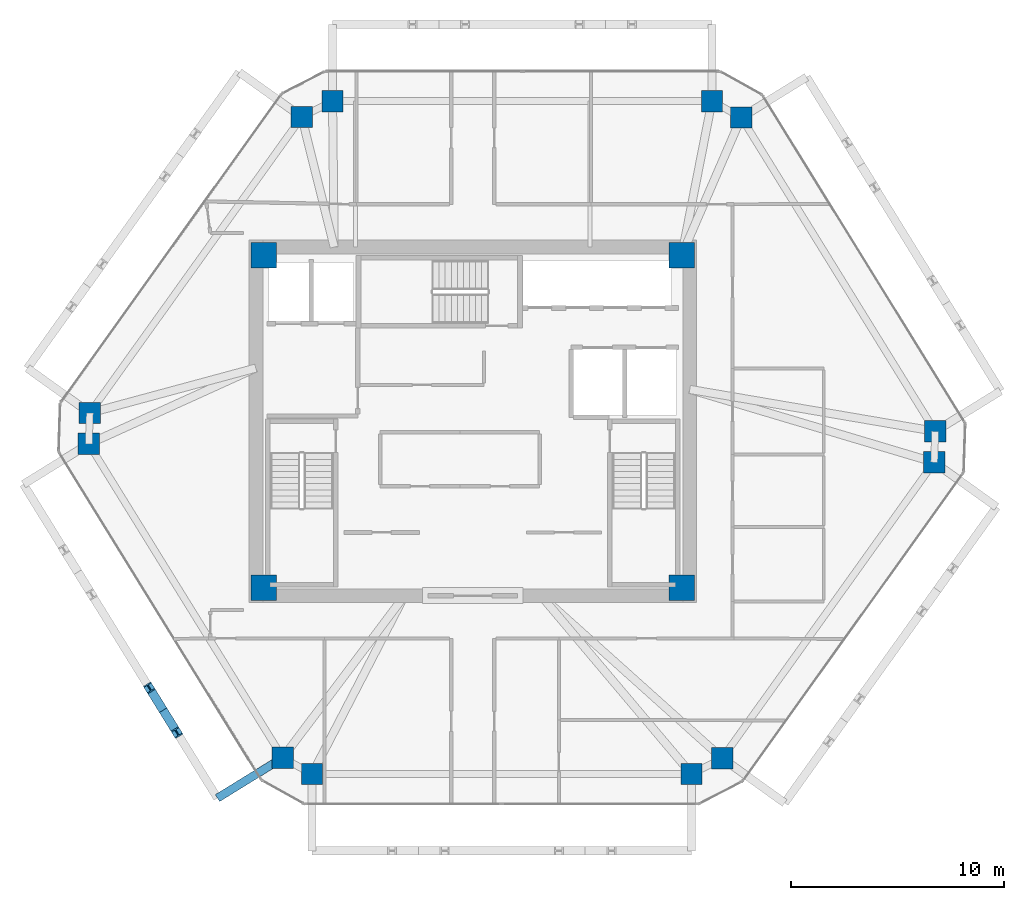
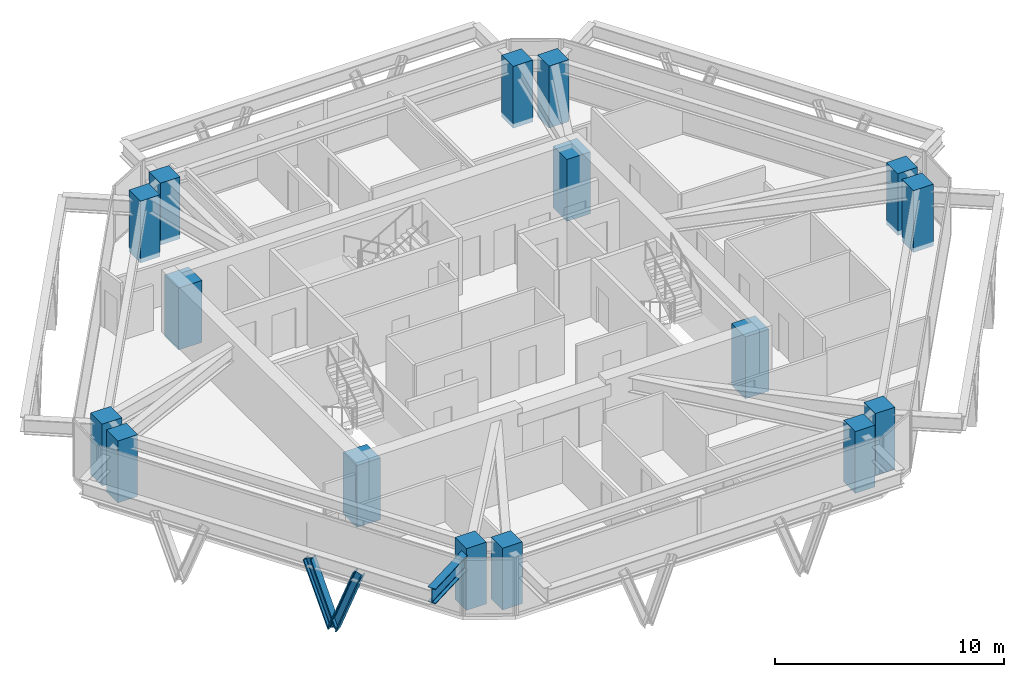
# One storey, part 1 of 11: 16 columns, 2 members, 1 beam.
"""IFC4 building model written with IfcOpenShell, lengths in metres."""

from ifc_helpers import new_model, si_unit, direction, frame, origin, origin_2d, place, context, subcontext, project, spatial, rectangle, i_section, extrude, source, transform, mapped, material, material_profile, profile_set, type_object, type_shapes, element, save


model = new_model("IFC4")

# Units and contexts
model_context = context("Model", 3, precision=1e-05, world=origin(), true_north=direction((0.0, 1.0)))
body_context = subcontext(model_context, "Body", "Model", "MODEL_VIEW")
ifc_project = project(units=[si_unit("LENGTHUNIT", "METRE"), si_unit("AREAUNIT", "SQUARE_METRE"), si_unit("VOLUMEUNIT", "CUBIC_METRE"), si_unit("PLANEANGLEUNIT", "RADIAN"), si_unit("MASSUNIT", "GRAM", prefix="KILO")], contexts=[model_context])

# Site, building, storey
site_placement = place(None, origin())
site = spatial("IfcSite", under=ifc_project, at=site_placement, CompositionType="ELEMENT")
building_placement = place(site_placement, origin())
building = spatial("IfcBuilding", under=site, at=building_placement, Name="Durnholm Broadcast Tower", CompositionType="ELEMENT")
storey_placement = place(building_placement, frame((0.0, 0.0, 183.699951171875)))
storey = spatial("IfcBuildingStorey", under=building, at=storey_placement, Name="L50", CompositionType="ELEMENT", Elevation=183.699951171875)

# Columns
ifc_material_1 = material(Name="Concrete C70/85", Category="concrete")
ifc_material_profile_1 = material_profile(ifc_material_1, rectangle(XDim=1.199951171875, YDim=1.199951171875, at=origin_2d()), Name="RC1200X1200")
ifc_profile_set_1 = profile_set([ifc_material_profile_1], Name="Concrete C70/85")
column_type_1 = type_object("IfcColumnType", Name="COL-CC-1200", PredefinedType="COLUMN", material=ifc_profile_set_1)
shared_shape_1 = source(origin(), body_context, "Body", "SweptSolid", [
    extrude(rectangle(XDim=1.199951171875, YDim=1.199951171875, at=origin_2d()), origin(), (0.0, 0.0, 1.0), 3.300048828125),
])
type_shapes(column_type_1, [shared_shape_1])
for number, where, z_axis, x_axis, name in (
    (1, (-9.800048828125, -7.800048828125, -0.239990234375), (0.0, 0.0, 1.0), (1.0, 0.0, 0.0), "L50 core corner column 1"),
    (2, (9.800048828125, -7.800048828125, -0.239990234375), (0.0, 0.0, 1.0), (1.0, 0.0, 0.0), "L50 core corner column 2"),
    (3, (9.800048828125, 7.800048828125, -0.239990234375), (0.0, 0.0, 1.0), (1.0, 0.0, 0.0), "L50 core corner column 3"),
    (4, (-9.800048828125, 7.800048828125, -0.239990234375), (0.0, 0.0, 1.0), (1.0, 0.0, 0.0), "L50 core corner column 4"),
):
    element("IfcColumn", number, at=place(storey_placement, frame(where, z_axis=z_axis, x_axis=x_axis)), inside=storey, type_object=column_type_1, Name=name, PredefinedType="COLUMN", context=body_context, shape_type="MappedRepresentation", body=[
        mapped(shared_shape_1, transform((0.0, 0.0, 0.0), x_axis=(1.0, 0.0, 0.0), y_axis=(0.0, 1.0, 0.0), z_axis=(0.0, 0.0, 1.0), scale=1.0)),
    ])
ifc_material_profile_2 = material_profile(ifc_material_1, rectangle(XDim=1.0, YDim=1.0, at=origin_2d()), Name="RC1000X1000")
ifc_profile_set_2 = profile_set([ifc_material_profile_2], Name="Concrete C70/85")
column_type_2 = type_object("IfcColumnType", Name="COL-CC-1000", PredefinedType="COLUMN", material=ifc_profile_set_2)
shared_shape_2 = source(origin(), body_context, "Body", "SweptSolid", [
    extrude(rectangle(XDim=1.0, YDim=1.0, at=origin_2d()), origin(), (0.0, 0.0, 1.0), 3.300048828125),
])
type_shapes(column_type_2, [shared_shape_2])
for number, where, z_axis, x_axis, name in (
    (5, (-8.91259765625, -15.7763671875, -0.239990234375), (0.0, 0.0, 1.0), (1.0, 0.0, 0.0), "L50 perimeter hexagonal tube column 01"),
    (6, (-18.009033203125, -1.056640625, -0.239990234375), (0.0, 0.0, 1.0), (1.0, 0.0, 0.0), "L50 perimeter hexagonal tube column 02"),
    (7, (-17.9599609375, 0.3955078125, -0.239990234375), (0.0, 0.0, 1.0), (1.0, 0.0, 0.0), "L50 perimeter hexagonal tube column 03"),
    (8, (-8.021728515625, 14.2763671875, -0.239990234375), (0.0, 0.0, 1.0), (1.0, 0.0, 0.0), "L50 perimeter hexagonal tube column 04"),
    (9, (-6.57861328125, 15.01806640625, -0.239990234375), (0.0, 0.0, 1.0), (1.0, 0.0, 0.0), "L50 perimeter hexagonal tube column 05"),
    (10, (11.217529296875, 15.01806640625, -0.239990234375), (0.0, 0.0, 1.0), (1.0, 0.0, 0.0), "L50 perimeter hexagonal tube column 06"),
    (11, (12.5908203125, 14.252197265625, -0.239990234375), (0.0, 0.0, 1.0), (1.0, 0.0, 0.0), "L50 perimeter hexagonal tube column 07"),
    (12, (21.68701171875, -0.46728515625, -0.239990234375), (0.0, 0.0, 1.0), (1.0, 0.0, 0.0), "L50 perimeter hexagonal tube column 08"),
    (13, (21.637939453125, -1.919677734375, -0.239990234375), (0.0, 0.0, 1.0), (1.0, 0.0, 0.0), "L50 perimeter hexagonal tube column 09"),
    (14, (11.69970703125, -15.80029296875, -0.239990234375), (0.0, 0.0, 1.0), (1.0, 0.0, 0.0), "L50 perimeter hexagonal tube column 10"),
    (15, (10.256591796875, -16.5419921875, -0.239990234375), (0.0, 0.0, 1.0), (1.0, 0.0, 0.0), "L50 perimeter hexagonal tube column 11"),
    (16, (-7.53955078125, -16.5419921875, -0.239990234375), (0.0, 0.0, 1.0), (1.0, 0.0, 0.0), "L50 perimeter hexagonal tube column 12"),
):
    element("IfcColumn", number, at=place(storey_placement, frame(where, z_axis=z_axis, x_axis=x_axis)), inside=storey, type_object=column_type_2, Name=name, PredefinedType="COLUMN", context=body_context, shape_type="MappedRepresentation", body=[
        mapped(shared_shape_2, transform((0.0, 0.0, 0.0), x_axis=(1.0, 0.0, 0.0), y_axis=(0.0, 1.0, 0.0), z_axis=(0.0, 0.0, 1.0), scale=1.0)),
    ])

# Beam
ifc_material_2 = material(Name="Steel ASTM A992 Grade 50", Category="steel")
ifc_material_profile_3 = material_profile(ifc_material_2, i_section(OverallWidth=0.385009765625, OverallDepth=0.802978515625, WebThickness=0.023681640625, FlangeThickness=0.0419921875, FilletRadius=0.032958984375, at=origin_2d()), Name="W30X261")
ifc_profile_set_3 = profile_set([ifc_material_profile_3], Name="Steel ASTM A992 Grade 50")
beam_type = type_object("IfcBeamType", Name="BM-EXO-TIE", PredefinedType="USERDEFINED", material=ifc_profile_set_3)
shared_shape_3 = source(origin(), body_context, "Body", "SweptSolid", [
    extrude(i_section(OverallWidth=0.385009765625, OverallDepth=0.802978515625, WebThickness=0.023681640625, FlangeThickness=0.0419921875, FilletRadius=0.032958984375, at=origin_2d()), origin(), (0.0, 0.0, 1.0), 3.4560546875),
])
type_shapes(beam_type, [shared_shape_3])
beam_placement = place(storey_placement, frame((-9.03515625, -15.85205078125, 2.30859375), z_axis=(-0.850693939061, -0.525661318764, 0.0), x_axis=(0.525661318764, -0.850693939061, 0.0)))
element("IfcBeam", 17, at=beam_placement, inside=storey, type_object=beam_type, Name="L50 exoskeleton stand-off tie bracket F6.2", ObjectType="GIRDER", PredefinedType="USERDEFINED", context=body_context, shape_type="MappedRepresentation", body=[
    mapped(shared_shape_3, transform((0.0, 0.0, 0.0), x_axis=(1.0, 0.0, 0.0), y_axis=(0.0, 1.0, 0.0), z_axis=(0.0, 0.0, 1.0), scale=1.0)),
])

# Members
ifc_material_3 = material(Name="Steel ASTM A913 Grade 65", Category="steel")
ifc_material_profile_4 = material_profile(ifc_material_3, i_section(OverallWidth=0.412109375, OverallDepth=0.434814453125, WebThickness=0.035888671875, FlangeThickness=0.057373046875, FilletRadius=0.030517578125, at=origin_2d()), Name="W14X311")
ifc_profile_set_4 = profile_set([ifc_material_profile_4], Name="Steel ASTM A913 Grade 65")
member_type = type_object("IfcMemberType", Name="STL-DG-W14X311", PredefinedType="BRACE", material=ifc_profile_set_4)
shared_shape_4 = source(origin(), body_context, "Body", "SweptSolid", [
    extrude(i_section(OverallWidth=0.412109375, OverallDepth=0.434814453125, WebThickness=0.035888671875, FlangeThickness=0.057373046875, FilletRadius=0.030517578125, at=origin_2d()), origin(), (0.0, 0.0, 1.0), 3.523193359375),
])
type_shapes(member_type, [shared_shape_4])
for number, where, z_axis, x_axis, name in (
    (18, (-14.522216796875, -13.54736328125, -0.991455078125), (-0.184052089489, 0.297906601172, 0.936683770188), (-0.850732935913, -0.525598203719, 0.0), "L50 stand-off diagrid brace F6.D2.1"),
    (19, (-14.522216796875, -13.54736328125, -0.991455078125), (0.18411903749, -0.297902800967, 0.936671821509), (0.850644447398, 0.525741404219, 0.0), "L50 stand-off diagrid brace F6.D2.2"),
):
    element("IfcMember", number, at=place(storey_placement, frame(where, z_axis=z_axis, x_axis=x_axis)), inside=storey, type_object=member_type, Name=name, PredefinedType="BRACE", context=body_context, shape_type="MappedRepresentation", body=[
        mapped(shared_shape_4, transform((0.0, 0.0, 0.0), x_axis=(1.0, 0.0, 0.0), y_axis=(0.0, 1.0, 0.0), z_axis=(0.0, 0.0, 1.0), scale=1.0)),
    ])

save(model, "model.ifc")
